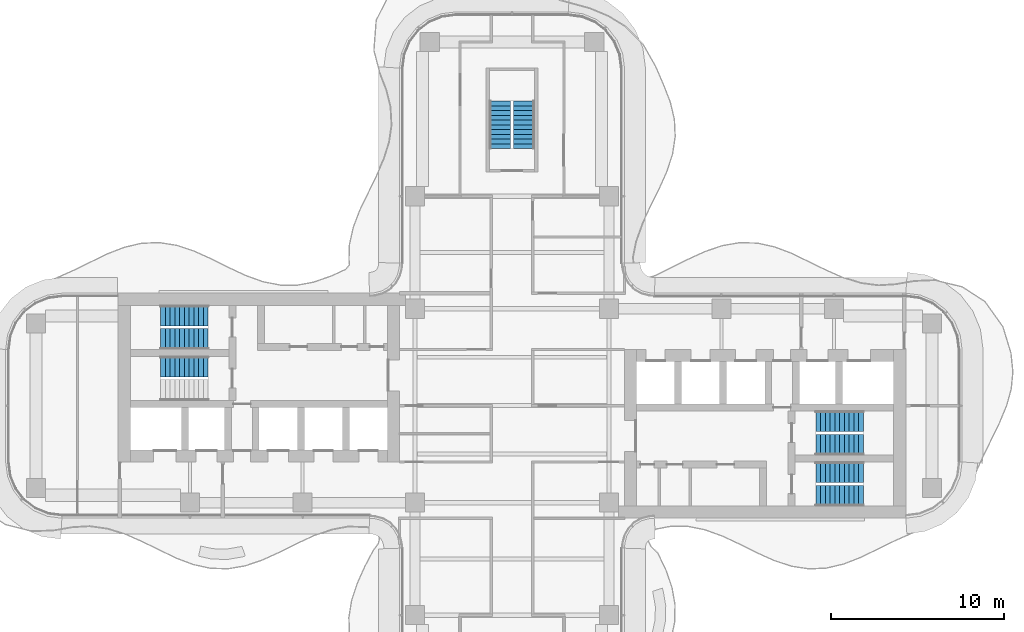
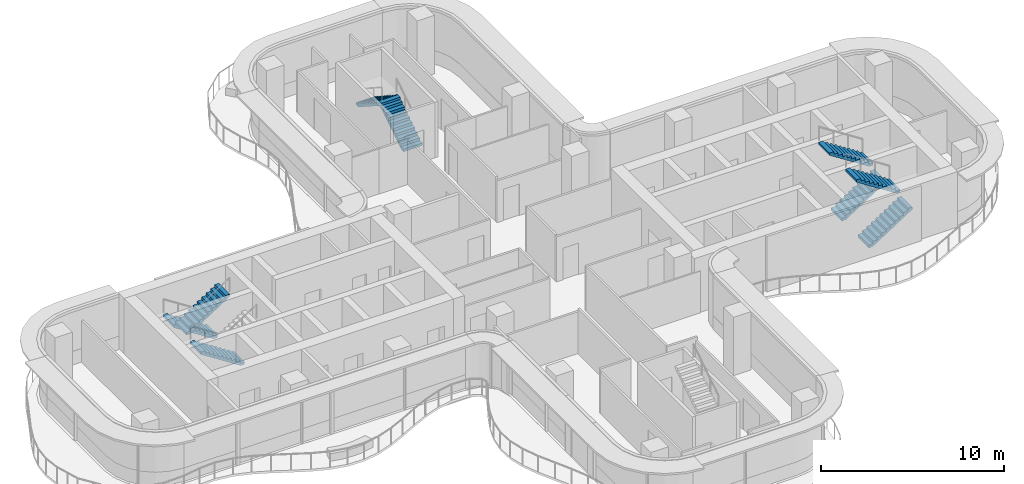
# One storey, part 14 of 16: 9 stair flights, 5 elements without a shape of their own.
"""IFC4 building model written with IfcOpenShell, lengths in metres."""

from ifc_helpers import new_model, si_unit, direction, frame, origin, place, context, subcontext, project, spatial, polyline, outline, extrude, source, transform, mapped, material, type_object, element, aggregate, save


model = new_model("IFC4")

# Units and contexts
model_context = context("Model", 3, precision=1e-05, world=origin(), true_north=direction((0.0, 1.0)))
body_context = subcontext(model_context, "Body", "Model", "MODEL_VIEW")
ifc_project = project(units=[si_unit("LENGTHUNIT", "METRE"), si_unit("AREAUNIT", "SQUARE_METRE"), si_unit("VOLUMEUNIT", "CUBIC_METRE"), si_unit("PLANEANGLEUNIT", "RADIAN"), si_unit("MASSUNIT", "GRAM", prefix="KILO")], contexts=[model_context])

# Site, building, storey
site_placement = place(None, origin())
site = spatial("IfcSite", under=ifc_project, at=site_placement, CompositionType="ELEMENT")
building_placement = place(site_placement, origin())
building = spatial("IfcBuilding", under=site, at=building_placement, Name="Trellis Farm Tower", CompositionType="ELEMENT")
storey_placement = place(building_placement, frame((0.0, 0.0, 248.0)))
storey = spatial("IfcBuildingStorey", under=building, at=storey_placement, Name="L55", CompositionType="ELEMENT", Elevation=248.0)

# Stair, stair flights
ifc_material = material(Name="Concrete C50/60", Category="concrete")
stair_type = type_object("IfcStairType", Name="CORE EXIT STAIR 22 RISERS 177 MM", PredefinedType="HALF_TURN_STAIR", material=ifc_material)
placement = place(storey_placement, origin())
stair_1 = element("IfcStair", 1, at=placement, inside=storey, type_object=stair_type, Name="Exit stair N", PredefinedType="HALF_TURN_STAIR")
stair_flight_type = type_object("IfcStairFlightType", Name="STAIR FLIGHT 11 RISERS 177 MM", PredefinedType="STRAIGHT", material=ifc_material)
shared_shape = source(origin(), body_context, "Body", "SweptSolid", [
    extrude(outline(polyline([(0.0, 0.0), (0.0, 0.17724609375), (0.27490234375, 0.17724609375), (0.27490234375, 0.3544921875), (0.550048828125, 0.3544921875), (0.550048828125, 0.53173828125), (0.824951171875, 0.53173828125), (0.824951171875, 0.708984375), (1.10009765625, 0.708984375), (1.10009765625, 0.886474609375), (1.375, 0.886474609375), (1.375, 1.063720703125), (1.64990234375, 1.063720703125), (1.64990234375, 1.240966796875), (1.925048828125, 1.240966796875), (1.925048828125, 1.418212890625), (2.199951171875, 1.418212890625), (2.199951171875, 1.595458984375), (2.47509765625, 1.595458984375), (2.47509765625, 1.772705078125), (2.75, 1.772705078125), (2.75, 1.949951171875), (2.75, 1.6181640625), (0.23974609375, 0.0), (0.0, 0.0)])), frame((0.0, 0.60009765625, 0.0), z_axis=(0.0, -1.0, 0.0), x_axis=(1.0, 0.0, 0.0)), (0.0, 0.0, 1.0), 1.199951171875),
])
stair_flight_1_placement = place(storey_placement, frame((0.699951171875, 14.85009765625, 0.0), z_axis=(0.0, 0.0, 1.0), x_axis=(0.0, 1.0, 0.0)))
stair_flight_1 = element("IfcStairFlight", 2, at=stair_flight_1_placement, type_object=stair_flight_type, Name="STN flight 1", NumberOfRisers=11, NumberOfTreads=10, PredefinedType="STRAIGHT", RiserHeight=0.177272727, TreadLength=0.275, context=body_context, shape_type="MappedRepresentation", body=[
    mapped(shared_shape, transform((0.0, 0.0, 0.0))),
])
stair_flight_2_placement = place(storey_placement, frame((-0.699951171875, 17.60009765625, 1.949951171875), z_axis=(0.0, 0.0, 1.0), x_axis=(0.0, -1.0, 0.0)))
stair_flight_2 = element("IfcStairFlight", 3, at=stair_flight_2_placement, type_object=stair_flight_type, Name="STN flight 2", NumberOfRisers=11, NumberOfTreads=10, PredefinedType="STRAIGHT", RiserHeight=0.177272727, TreadLength=0.275, context=body_context, shape_type="MappedRepresentation", body=[
    mapped(shared_shape, transform((0.0, 0.0, 0.0))),
])
aggregate(stair_1, [stair_flight_1, stair_flight_2])

stair_2 = element("IfcStair", 4, at=placement, inside=storey, type_object=stair_type, Name="Exit stair E1", PredefinedType="HALF_TURN_STAIR")
stair_flight_3_placement = place(storey_placement, frame((17.550048828125, -5.199951171875, 0.0), z_axis=(0.0, 0.0, 1.0), x_axis=(1.0, 0.0, 0.0)))
stair_flight_3 = element("IfcStairFlight", 5, at=stair_flight_3_placement, type_object=stair_flight_type, Name="STE1 flight 1", NumberOfRisers=11, NumberOfTreads=10, PredefinedType="STRAIGHT", RiserHeight=0.177272727, TreadLength=0.275, context=body_context, shape_type="MappedRepresentation", body=[
    mapped(shared_shape, transform((0.0, 0.0, 0.0))),
])
stair_flight_4_placement = place(storey_placement, frame((20.300048828125, -3.85009765625, 1.949951171875), z_axis=(0.0, 0.0, 1.0), x_axis=(-1.0, 0.0, 0.0)))
stair_flight_4 = element("IfcStairFlight", 6, at=stair_flight_4_placement, type_object=stair_flight_type, Name="STE1 flight 2", NumberOfRisers=11, NumberOfTreads=10, PredefinedType="STRAIGHT", RiserHeight=0.177272727, TreadLength=0.275, context=body_context, shape_type="MappedRepresentation", body=[
    mapped(shared_shape, transform((0.0, 0.0, 0.0))),
])
aggregate(stair_2, [stair_flight_3, stair_flight_4])

stair_3 = element("IfcStair", 7, at=placement, inside=storey, type_object=stair_type, Name="Exit stair E2", PredefinedType="HALF_TURN_STAIR")
stair_flight_5_placement = place(storey_placement, frame((17.550048828125, -2.25, 0.0), z_axis=(0.0, 0.0, 1.0), x_axis=(1.0, 0.0, 0.0)))
stair_flight_5 = element("IfcStairFlight", 8, at=stair_flight_5_placement, type_object=stair_flight_type, Name="STE2 flight 1", NumberOfRisers=11, NumberOfTreads=10, PredefinedType="STRAIGHT", RiserHeight=0.177272727, TreadLength=0.275, context=body_context, shape_type="MappedRepresentation", body=[
    mapped(shared_shape, transform((0.0, 0.0, 0.0))),
])
stair_flight_6_placement = place(storey_placement, frame((20.300048828125, -0.89990234375, 1.949951171875), z_axis=(0.0, 0.0, 1.0), x_axis=(-1.0, 0.0, 0.0)))
stair_flight_6 = element("IfcStairFlight", 9, at=stair_flight_6_placement, type_object=stair_flight_type, Name="STE2 flight 2", NumberOfRisers=11, NumberOfTreads=10, PredefinedType="STRAIGHT", RiserHeight=0.177272727, TreadLength=0.275, context=body_context, shape_type="MappedRepresentation", body=[
    mapped(shared_shape, transform((0.0, 0.0, 0.0))),
])
aggregate(stair_3, [stair_flight_5, stair_flight_6])

stair_4 = element("IfcStair", 10, at=placement, inside=storey, type_object=stair_type, Name="Exit stair W1", PredefinedType="HALF_TURN_STAIR")
stair_flight_7_placement = place(storey_placement, frame((-17.550048828125, 5.199951171875, 0.0), z_axis=(0.0, 0.0, 1.0), x_axis=(-1.0, 0.0, 0.0)))
stair_flight_7 = element("IfcStairFlight", 11, at=stair_flight_7_placement, type_object=stair_flight_type, Name="STW1 flight 1", NumberOfRisers=11, NumberOfTreads=10, PredefinedType="STRAIGHT", RiserHeight=0.177272727, TreadLength=0.275, context=body_context, shape_type="MappedRepresentation", body=[
    mapped(shared_shape, transform((0.0, 0.0, 0.0))),
])
stair_flight_8_placement = place(storey_placement, frame((-20.300048828125, 3.85009765625, 1.949951171875), z_axis=(0.0, 0.0, 1.0), x_axis=(1.0, 0.0, 0.0)))
stair_flight_8 = element("IfcStairFlight", 12, at=stair_flight_8_placement, type_object=stair_flight_type, Name="STW1 flight 2", NumberOfRisers=11, NumberOfTreads=10, PredefinedType="STRAIGHT", RiserHeight=0.177272727, TreadLength=0.275, context=body_context, shape_type="MappedRepresentation", body=[
    mapped(shared_shape, transform((0.0, 0.0, 0.0))),
])
aggregate(stair_4, [stair_flight_7, stair_flight_8])

# Stair, stair flight
stair_5 = element("IfcStair", 13, at=placement, inside=storey, type_object=stair_type, Name="Exit stair W2", PredefinedType="HALF_TURN_STAIR")
stair_flight_9_placement = place(storey_placement, frame((-17.550048828125, 2.25, 0.0), z_axis=(0.0, 0.0, 1.0), x_axis=(-1.0, 0.0, 0.0)))
stair_flight_9 = element("IfcStairFlight", 14, at=stair_flight_9_placement, type_object=stair_flight_type, Name="STW2 flight 1", NumberOfRisers=11, NumberOfTreads=10, PredefinedType="STRAIGHT", RiserHeight=0.177272727, TreadLength=0.275, context=body_context, shape_type="MappedRepresentation", body=[
    mapped(shared_shape, transform((0.0, 0.0, 0.0))),
])
aggregate(stair_5, [stair_flight_9])

save(model, "model.ifc")
